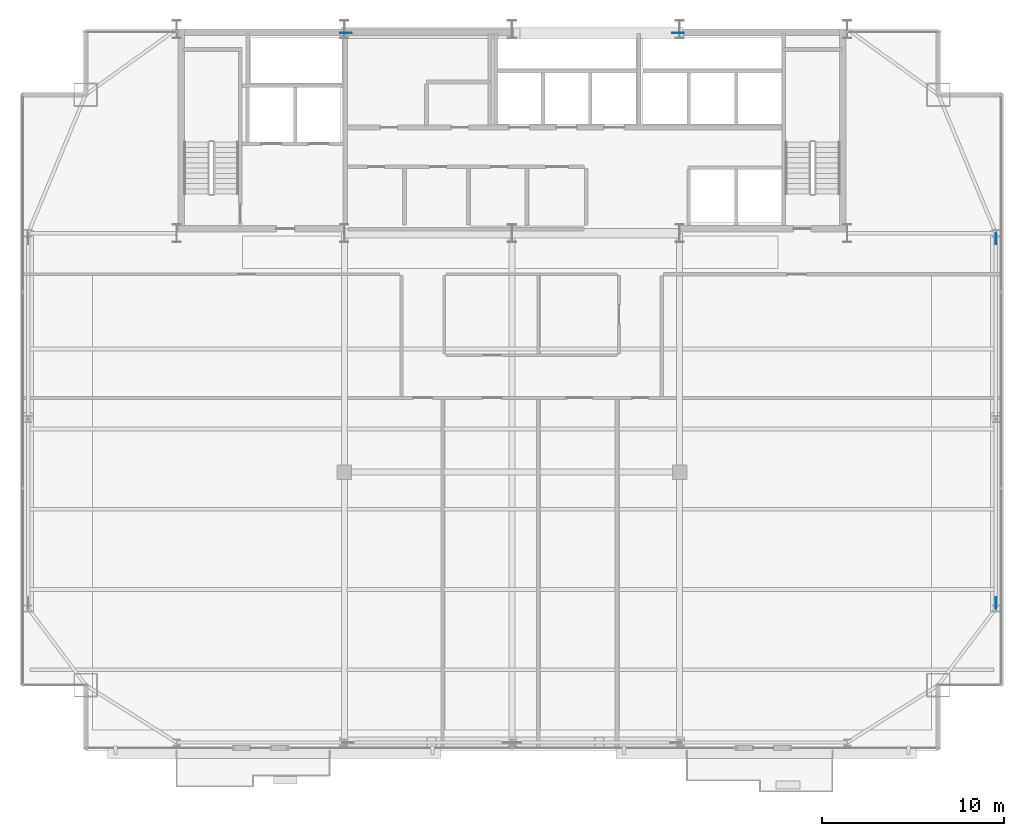
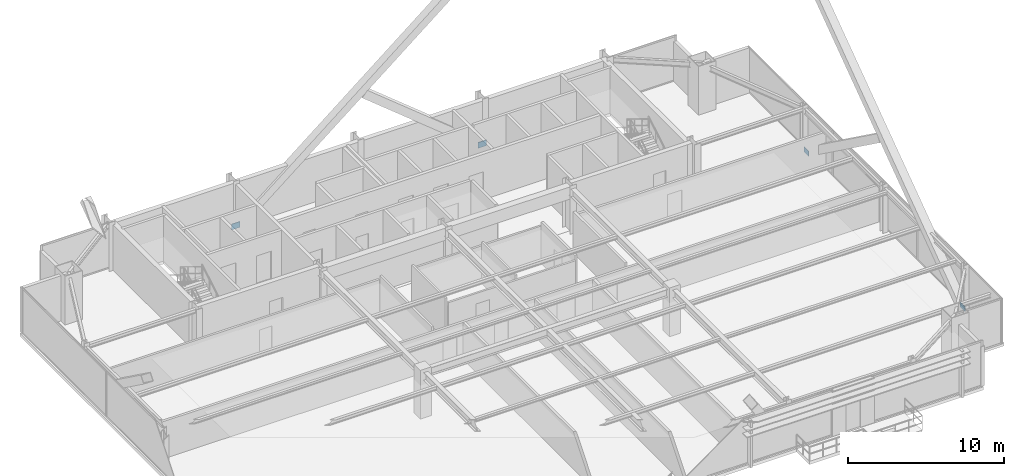
# One storey, part 29 of 34: 4 plates.
"""IFC4 building model written with IfcOpenShell, lengths in metres."""

import ifcopenshell
import ifcopenshell.guid

model = None  # the IFC model being written
_history = None  # IfcOwnerHistory: only IFC2X3 demands one
_inside = {}  # id of a spatial element -> (the spatial element, [elements in it])
_under = {}  # id of a project, library or spatial element -> (it, [spatial elements below it])
_declared = {}  # id of a project -> (the project, [libraries it declares])
_typed = {}  # id of a type object -> (the type object, [elements of that type])
_made_of = {}  # id of a material, layer set ... -> (it, [elements and type objects made of it])


def new_model(schema):
    """Start an empty IFC model of exactly this schema.

    Asked for "IFC4X3", IfcOpenShell would pick the latest addendum, in which some entities
    have other attributes; the version numbers below select the first issue.
    IFC2X3 requires an IfcOwnerHistory on every rooted entity: one is made here for all.
    """
    global model, _history
    if schema == "IFC4X3":
        model = ifcopenshell.file(schema_version=(4, 3, 0, 0))
    else:
        model = ifcopenshell.file(schema=schema)
    _inside.clear()
    _under.clear()
    _declared.clear()
    _typed.clear()
    _made_of.clear()
    _history = None
    if model.schema == "IFC2X3":
        org = make("IfcOrganization", Name="unknown")
        user = make(
            "IfcPersonAndOrganization",
            ThePerson=make("IfcPerson", FamilyName="unknown"),
            TheOrganization=org,
        )
        app = make(
            "IfcApplication",
            ApplicationDeveloper=org,
            Version="unknown",
            ApplicationFullName="unknown",
            ApplicationIdentifier="unknown",
        )
        _history = make(
            "IfcOwnerHistory",
            OwningUser=user,
            OwningApplication=app,
            ChangeAction="ADDED",
            CreationDate=0,
        )
    return model


def make(cls, **values):
    """One entity of the class cls with the attributes given. An attribute that is None is left unset."""
    return model.create_entity(
        cls, **{name: value for name, value in values.items() if value is not None}
    )


def rooted(cls, **values):
    """An entity with a GlobalId (a new one), such as an element, a storey or a relation."""
    return make(cls, GlobalId=ifcopenshell.guid.new(), OwnerHistory=_history, **values)


def si_unit(unit_type, name, prefix=None):
    """IfcSIUnit, for example si_unit("LENGTHUNIT", "METRE", prefix="MILLI")."""
    return make("IfcSIUnit", UnitType=unit_type, Prefix=prefix, Name=name)


def assignment(units):
    """IfcUnitAssignment: the units of a project."""
    return None if units is None else make("IfcUnitAssignment", Units=units)


def point(xyz):
    """IfcCartesianPoint."""
    return None if xyz is None else make("IfcCartesianPoint", Coordinates=xyz)


def direction(xyz):
    """IfcDirection."""
    return None if xyz is None else make("IfcDirection", DirectionRatios=xyz)


def frame(location, z_axis=None, x_axis=None):
    """IfcAxis2Placement3D, a coordinate frame: its origin and axes. An axis left out is left unset."""
    return make(
        "IfcAxis2Placement3D",
        Location=point(location),
        Axis=direction(z_axis),
        RefDirection=direction(x_axis),
    )


def frame_2d(location, x_axis=None):
    """IfcAxis2Placement2D, a coordinate frame in the plane: its origin and x axis."""
    return make(
        "IfcAxis2Placement2D", Location=point(location), RefDirection=direction(x_axis)
    )


def origin():
    """The frame at (0, 0, 0) with its axes left unset."""
    return frame((0.0, 0.0, 0.0))


def origin_2d():
    """The frame at (0, 0) in the plane with its x axis left unset."""
    return frame_2d((0.0, 0.0))


def place(relative_to, where):
    """IfcLocalPlacement: puts the frame where relative to a parent placement (None: the world)."""
    return make(
        "IfcLocalPlacement", PlacementRelTo=relative_to, RelativePlacement=where
    )


def context(
    kind, dimensions, precision=None, world=None, true_north=None, identifier=None
):
    """IfcGeometricRepresentationContext, for example the 3D "Model" context."""
    return make(
        "IfcGeometricRepresentationContext",
        ContextIdentifier=identifier,
        ContextType=kind,
        CoordinateSpaceDimension=dimensions,
        Precision=precision,
        WorldCoordinateSystem=world,
        TrueNorth=true_north,
    )


def subcontext(parent, identifier, kind, view, scale=None):
    """IfcGeometricRepresentationSubContext, for example "Body" below "Model"."""
    return make(
        "IfcGeometricRepresentationSubContext",
        ContextIdentifier=identifier,
        ContextType=kind,
        ParentContext=parent,
        TargetScale=scale,
        TargetView=view,
    )


def project(units=None, contexts=None):
    """IfcProject with its units and contexts."""
    return rooted(
        "IfcProject",
        Name="project",
        RepresentationContexts=contexts,
        UnitsInContext=assignment(units),
    )


def spatial(cls, under=None, at=None, **own):
    """A site, building, storey or space (cls), placed at a placement, below another one or the project."""
    s = rooted(cls, ObjectPlacement=at, **own)
    if under is not None:
        _under.setdefault(under.id(), (under, []))[1].append(s)
    return s


def profile(cls, at=None, kind="AREA", **sizes):
    """A parametric profile (cls). Its sizes go by their IFC names, for example OverallWidth=200.0."""
    return make(cls, ProfileType=kind, Position=at, **sizes)


def rectangle(**sizes):
    """IfcRectangleProfileDef."""
    return profile("IfcRectangleProfileDef", **sizes)


def extrude(swept, where, along, depth):
    """IfcExtrudedAreaSolid: the profile swept, set in the frame where, extruded along a direction by depth."""
    return make(
        "IfcExtrudedAreaSolid",
        SweptArea=swept,
        Position=where,
        ExtrudedDirection=direction(along),
        Depth=depth,
    )


def shape(context_of_items, identifier, shape_type, items):
    """IfcShapeRepresentation: the items that make up one representation, for example the "Body"."""
    return make(
        "IfcShapeRepresentation",
        ContextOfItems=context_of_items,
        RepresentationIdentifier=identifier,
        RepresentationType=shape_type,
        Items=items,
    )


def source(mapping_origin, context_of_items, identifier, shape_type, items):
    """IfcRepresentationMap: a shape defined once, which mapped items show again and again."""
    return make(
        "IfcRepresentationMap",
        MappingOrigin=mapping_origin,
        MappedRepresentation=shape(context_of_items, identifier, shape_type, items),
    )


def transform(
    local_origin,
    x_axis=None,
    y_axis=None,
    z_axis=None,
    scale=None,
    scale2=None,
    scale3=None,
    uniform=True,
):
    """IfcCartesianTransformationOperator3D, or its non-uniform kind. x_axis, y_axis, z_axis: its Axis1, 2, 3."""
    if uniform:
        return make(
            "IfcCartesianTransformationOperator3D",
            Axis1=direction(x_axis),
            Axis2=direction(y_axis),
            LocalOrigin=point(local_origin),
            Scale=scale,
            Axis3=direction(z_axis),
        )
    return make(
        "IfcCartesianTransformationOperator3DnonUniform",
        Axis1=direction(x_axis),
        Axis2=direction(y_axis),
        LocalOrigin=point(local_origin),
        Scale=scale,
        Axis3=direction(z_axis),
        Scale2=scale2,
        Scale3=scale3,
    )


def mapped(mapping_source, mapping_target):
    """IfcMappedItem: shows the shape of a source again, moved by a transform."""
    return make(
        "IfcMappedItem", MappingSource=mapping_source, MappingTarget=mapping_target
    )


def material(Name=None, Category=None):
    """IfcMaterial."""
    return make("IfcMaterial", Name=Name, Category=Category)


def layer(
    of_material, thickness, ventilated=None, Name=None, Category=None, Priority=None
):
    """IfcMaterialLayer: one layer of a wall or slab, of a material (None: an air gap)."""
    return make(
        "IfcMaterialLayer",
        Material=of_material,
        LayerThickness=thickness,
        IsVentilated=ventilated,
        Name=Name,
        Category=Category,
        Priority=Priority,
    )


def layer_set(layers, Name=None):
    """IfcMaterialLayerSet."""
    return make("IfcMaterialLayerSet", MaterialLayers=layers, LayerSetName=Name)


def made_of(thing, what):
    """Note that an element or type object is made of a material, layer set ...; save() writes the relation."""
    if what is not None:
        _made_of.setdefault(what.id(), (what, []))[1].append(thing)
    return thing


def type_object(cls, material=None, **own):
    """A type object (cls), such as IfcWallType, which elements share."""
    return made_of(rooted(cls, **own), material)


def type_shapes(of_type, sources):
    """Give a type object the sources (RepresentationMaps) that its elements show as mapped items."""
    of_type.RepresentationMaps = sources


def element(
    cls,
    number,
    at=None,
    inside=None,
    cuts=None,
    type_object=None,
    material=None,
    context=None,
    identifier="Body",
    shape_type=None,
    held_by="IfcProductDefinitionShape",
    body=None,
    shapes=None,
    **own,
):
    """One element of the class cls, such as IfcWall. Its Tag is "e" and its number.

    at: its placement. inside: the storey or other place that contains it. cuts: it is an
    opening in that element (IfcRelVoidsElement). A single representation is given by context,
    identifier, shape_type and body (its items); several are given by shapes. held_by: the class
    of the entity that holds the representations. save() writes the other relations.
    """
    e = rooted(cls, Tag="e%d" % number, ObjectPlacement=at, **own)
    if body is not None:
        shapes = [shape(context, identifier, shape_type, body)]
    if shapes is not None:
        e.Representation = make(held_by, Representations=shapes)
    if inside is not None:
        _inside.setdefault(inside.id(), (inside, []))[1].append(e)
    if cuts is not None:
        rooted(
            "IfcRelVoidsElement", RelatingBuildingElement=cuts, RelatedOpeningElement=e
        )
    if type_object is not None:
        _typed.setdefault(type_object.id(), (type_object, []))[1].append(e)
    return made_of(e, material)


def aggregate(whole, parts):
    """IfcRelAggregates: a whole, such as a stair, and the parts it consists of."""
    return rooted("IfcRelAggregates", RelatingObject=whole, RelatedObjects=parts)


def save(model, path):
    """Write the relations noted so far, then the file.

    IfcRelAggregates (storeys below a building ...), IfcRelContainedInSpatialStructure (elements
    in a storey), IfcRelDefinesByType, IfcRelAssociatesMaterial and IfcRelDeclares: one each for
    every whole, place, type object, material and project.
    """
    for whole, parts in _under.values():
        aggregate(whole, parts)
    for where, things in _inside.values():
        rooted(
            "IfcRelContainedInSpatialStructure",
            RelatedElements=things,
            RelatingStructure=where,
        )
    for kind, things in _typed.values():
        rooted("IfcRelDefinesByType", RelatedObjects=things, RelatingType=kind)
    for what, things in _made_of.values():
        rooted("IfcRelAssociatesMaterial", RelatedObjects=things, RelatingMaterial=what)
    for by, libraries in _declared.values():
        rooted("IfcRelDeclares", RelatingContext=by, RelatedDefinitions=libraries)
    model.write(path)


model = new_model("IFC4")

# Units and contexts
model_context = context("Model", 3, precision=1e-05, world=origin(), true_north=direction((0.0, 1.0)))
body_context = subcontext(model_context, "Body", "Model", "MODEL_VIEW")
ifc_project = project(units=[si_unit("LENGTHUNIT", "METRE"), si_unit("AREAUNIT", "SQUARE_METRE"), si_unit("VOLUMEUNIT", "CUBIC_METRE"), si_unit("PLANEANGLEUNIT", "RADIAN"), si_unit("MASSUNIT", "GRAM", prefix="KILO")], contexts=[model_context])

# Site, building, storey
site_placement = place(None, origin())
site = spatial("IfcSite", under=ifc_project, at=site_placement, CompositionType="ELEMENT")
building_placement = place(site_placement, origin())
building = spatial("IfcBuilding", under=site, at=building_placement, Name="Varnel Quay Broadcast Tower", CompositionType="ELEMENT")
storey_placement = place(building_placement, frame((0.0, 0.0, 161.0)))
storey = spatial("IfcBuildingStorey", under=building, at=storey_placement, Name="L39", CompositionType="ELEMENT", Elevation=161.0)

# Plates
ifc_material = material(Name="Structural Steel CSA G40.21 350WT", Category="steel")
ifc_layer_1 = layer(ifc_material, 0.0400390625, Name="Structural Steel CSA G40.21 350WT")
ifc_layer_set_1 = layer_set([ifc_layer_1], Name="Structural Steel CSA G40.21 350WT")
plate_type_1 = type_object("IfcPlateType", Name="Plate_EmbedPlate", PredefinedType="USERDEFINED", material=ifc_layer_set_1)
shared_shape_1 = source(origin(), body_context, "Body", "SweptSolid", [
    extrude(rectangle(XDim=0.639892578125, YDim=0.0400390625, at=origin_2d()), origin(), (0.0, 0.0, 1.0), 0.449951171875),
])
type_shapes(plate_type_1, [shared_shape_1])
for number, where, z_axis, x_axis, name in (
    (1, (24.893310546875, 46.580078125, -0.12939453125), (0.0, 0.0, 1.0), (1.0, 0.0, 0.0), "Zone 3 Mega-Brace N-CT2 Diag A Wall Cast-In Embed Plate P0"),
    (2, (43.106689453125, 46.580078125, -0.12939453125), (0.0, 0.0, 1.0), (1.0, 0.0, 0.0), "Zone 3 Mega-Brace N-CT2 Diag B1 Wall Cast-In Embed Plate P0"),
):
    element("IfcPlate", number, at=place(storey_placement, frame(where, z_axis=z_axis, x_axis=x_axis)), inside=storey, type_object=plate_type_1, Name=name, ObjectType="EMBED_PLATE", PredefinedType="USERDEFINED", context=body_context, shape_type="MappedRepresentation", body=[
        mapped(shared_shape_1, transform((0.0, 0.0, 0.0), x_axis=(1.0, 0.0, 0.0), y_axis=(0.0, 1.0, 0.0), z_axis=(0.0, 0.0, 1.0), scale=1.0)),
    ])
ifc_layer_2 = layer(ifc_material, 0.031982421875, Name="Structural Steel CSA G40.21 350WT")
ifc_layer_set_2 = layer_set([ifc_layer_2], Name="Structural Steel CSA G40.21 350WT")
plate_type_2 = type_object("IfcPlateType", Name="Plate_EndCap", PredefinedType="USERDEFINED", material=ifc_layer_set_2)
shared_shape_2 = source(origin(), body_context, "Body", "SweptSolid", [
    extrude(rectangle(XDim=0.6201171875, YDim=0.031982421875, at=origin_2d()), origin(), (0.0, 0.0, 1.0), 0.3798828125),
])
type_shapes(plate_type_2, [shared_shape_2])
for number, where, z_axis, x_axis, name in (
    (3, (60.550048828125, 15.307861328125, 0.052978515625), (0.0, 0.0, 1.0), (0.0, 1.0, 0.0), "Zone 3 Mega-Brace E-FT2 Diag A End Connection Plate P0"),
    (4, (60.550048828125, 35.292236328125, 0.052978515625), (0.0, 0.0, 1.0), (0.0, 1.0, 0.0), "Zone 3 Mega-Brace E-FT2 Diag B1 End Connection Plate P0"),
):
    element("IfcPlate", number, at=place(storey_placement, frame(where, z_axis=z_axis, x_axis=x_axis)), inside=storey, type_object=plate_type_2, Name=name, ObjectType="CAP_PLATE", PredefinedType="USERDEFINED", context=body_context, shape_type="MappedRepresentation", body=[
        mapped(shared_shape_2, transform((0.0, 0.0, 0.0), x_axis=(1.0, 0.0, 0.0), y_axis=(0.0, 1.0, 0.0), z_axis=(0.0, 0.0, 1.0), scale=1.0)),
    ])

save(model, "model.ifc")
